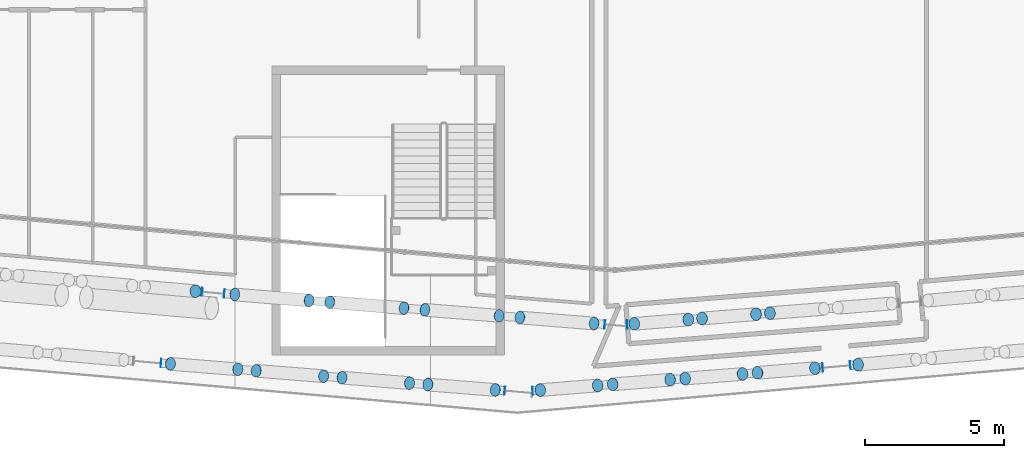
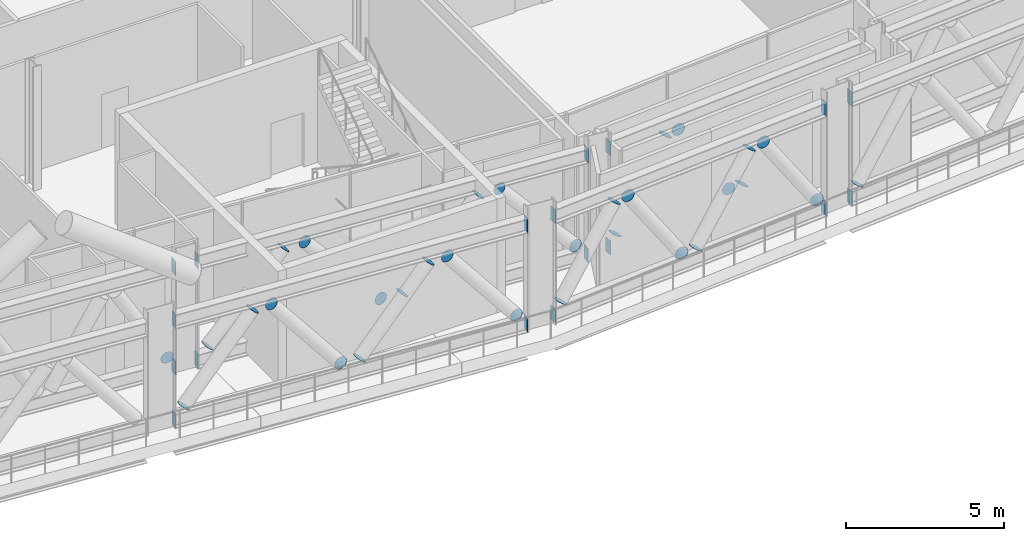
# One storey, part 28 of 39: 49 discrete accessories.
"""IFC4 building model written with IfcOpenShell, lengths in metres."""

from ifc_helpers import new_model, si_unit, direction, frame, origin, origin_2d, place, context, subcontext, project, spatial, rectangle, circle, extrude, material, material_profile, profile_set, type_object, element, save


model = new_model("IFC4")

# Units and contexts
model_context = context("Model", 3, precision=1e-05, world=origin(), true_north=direction((0.0, 1.0)))
body_context = subcontext(model_context, "Body", "Model", "MODEL_VIEW")
ifc_project = project(units=[si_unit("LENGTHUNIT", "METRE"), si_unit("AREAUNIT", "SQUARE_METRE"), si_unit("VOLUMEUNIT", "CUBIC_METRE"), si_unit("PLANEANGLEUNIT", "RADIAN"), si_unit("MASSUNIT", "GRAM", prefix="KILO")], contexts=[model_context])

# Site, building, storey
site_placement = place(None, origin())
site = spatial("IfcSite", under=ifc_project, at=site_placement, CompositionType="ELEMENT")
building_placement = place(site_placement, origin())
building = spatial("IfcBuilding", under=site, at=building_placement, Name="Wharfspan Tower", CompositionType="ELEMENT")
storey_placement = place(building_placement, frame((0.0, 0.0, 91.899902)))
storey = spatial("IfcBuildingStorey", under=building, at=storey_placement, Name="L20", CompositionType="ELEMENT", Elevation=91.899902)

# Discrete accessories
ifc_material_1 = material(Name="Steel S460NH", Category="steel")
ifc_material_profile_1 = material_profile(ifc_material_1, circle(Radius=0.228516, at=origin_2d()))
ifc_profile_set_1 = profile_set([ifc_material_profile_1], Name="Steel S460NH")
discrete_accessory_type_1 = type_object("IfcDiscreteAccessoryType", Name="End plate CHS 457x16", PredefinedType="BRACKET", material=ifc_profile_set_1)
for number, where, z_axis, x_axis, name in (
    (1, (34.453369, 0.340088, 0.66626), (0.514341, -0.024492, -0.857236), (0.047566, 0.998868, 1e-06), "End plate CHS 457x16"),
    (2, (35.865967, 0.221924, 0.694336), (0.656005, -0.048593, 0.753191), (0.073872, 0.997271, 0.0), "End plate CHS 457x16"),
):
    element("IfcDiscreteAccessory", number, at=place(storey_placement, frame(where, z_axis=z_axis, x_axis=x_axis)), inside=storey, type_object=discrete_accessory_type_1, Name=name, PredefinedType="BRACKET", context=body_context, shape_type="SweptSolid", body=[
        extrude(circle(Radius=0.228516, at=origin_2d()), origin(), (0.0, 0.0, 1.0), 0.01001),
    ])
for number, where, z_axis, x_axis, name in (
    (3, (38.524902, 0.00708, 3.698486), (0.668145, -0.049492, 0.742383), (0.073869, 0.997266, 2e-06), "End plate CHS 457x16"),
    (4, (39.273682, -0.053223, 3.705811), (0.668145, -0.049492, -0.742383), (0.073869, 0.997266, -2e-06), "End plate CHS 457x16"),
):
    element("IfcDiscreteAccessory", number, at=place(storey_placement, frame(where, z_axis=z_axis, x_axis=x_axis)), inside=storey, type_object=discrete_accessory_type_1, Name=name, PredefinedType="BRACKET", context=body_context, shape_type="SweptSolid", body=[
        extrude(circle(Radius=0.228516, at=origin_2d()), origin(), (0.0, 0.0, 1.0), 0.009766),
    ])
for number, where, z_axis, x_axis, name in (
    (5, (41.932617, -0.268066, 0.701904), (0.656005, -0.048593, -0.753191), (0.073872, 0.997271, 0.0), "End plate CHS 457x16"),
    (6, (42.681396, -0.328369, 0.694336), (0.655039, -0.072782, 0.752082), (0.11043, 0.993882, 1e-06), "End plate CHS 457x16"),
):
    element("IfcDiscreteAccessory", number, at=place(storey_placement, frame(where, z_axis=z_axis, x_axis=x_axis)), inside=storey, type_object=discrete_accessory_type_1, Name=name, PredefinedType="BRACKET", context=body_context, shape_type="SweptSolid", body=[
        extrude(circle(Radius=0.228516, at=origin_2d()), origin(), (0.0, 0.0, 1.0), 0.01001),
    ])
for number, where, z_axis, x_axis, name in (
    (7, (45.340332, -0.543213, 3.698486), (0.668145, -0.049492, 0.742383), (0.073869, 0.997266, 2e-06), "End plate CHS 457x16"),
    (8, (46.089111, -0.603516, 3.705811), (0.667124, -0.074125, -0.741249), (0.110432, 0.993887, 0.0), "End plate CHS 457x16"),
):
    element("IfcDiscreteAccessory", number, at=place(storey_placement, frame(where, z_axis=z_axis, x_axis=x_axis)), inside=storey, type_object=discrete_accessory_type_1, Name=name, PredefinedType="BRACKET", context=body_context, shape_type="SweptSolid", body=[
        extrude(circle(Radius=0.228516, at=origin_2d()), origin(), (0.0, 0.0, 1.0), 0.009766),
    ])
for number, where, z_axis, x_axis, name in (
    (9, (48.748047, -0.818359, 0.701904), (0.656005, -0.048593, -0.753191), (0.073872, 0.997271, 0.0), "End plate CHS 457x16"),
    (10, (50.188477, -0.829834, 0.664062), (0.54259, 0.049326, 0.838548), (-0.090535, 0.995892, 0.0), "End plate CHS 457x16"),
    (11, (52.124023, -0.677246, 3.727783), (0.532016, 0.024183, 0.846389), (-0.045407, 0.99897, -1e-06), "End plate CHS 457x16"),
    (12, (52.62085, -0.638184, 3.736328), (0.53155, 0.048323, -0.845647), (-0.090535, 0.995897, 1e-06), "End plate CHS 457x16"),
    (13, (54.556396, -0.485596, 0.672363), (0.543086, 0.024686, -0.839314), (-0.045408, 0.998965, 0.0), "End plate CHS 457x16"),
    (14, (55.053223, -0.446533, 0.664062), (0.54259, 0.049326, 0.838548), (-0.090535, 0.995892, 0.0), "End plate CHS 457x16"),
    (15, (33.554443, -2.26709, 0.685303), (0.629852, -0.04845, 0.775203), (0.076696, 0.997051, 0.0), "End plate CHS 457x16"),
    (16, (35.970703, -2.460693, 3.707031), (0.629852, -0.04845, 0.775203), (0.076696, 0.997051, 0.0), "End plate CHS 457x16"),
    (17, (36.632812, -2.513916, 3.714844), (0.629852, -0.04845, -0.775203), (0.076696, 0.997051, 0.0), "End plate CHS 457x16"),
    (18, (39.049072, -2.70752, 0.693115), (0.629852, -0.04845, -0.775203), (0.076696, 0.997051, 0.0), "End plate CHS 457x16"),
    (19, (39.711182, -2.760498, 0.685303), (0.629852, -0.04845, 0.775203), (0.076696, 0.997051, 0.0), "End plate CHS 457x16"),
    (20, (42.127441, -2.954346, 3.707031), (0.629852, -0.04845, 0.775203), (0.076696, 0.997051, 0.0), "End plate CHS 457x16"),
    (21, (42.789551, -3.007324, 3.714844), (0.629852, -0.04845, -0.775203), (0.076696, 0.997051, 0.0), "End plate CHS 457x16"),
    (22, (45.205811, -3.201172, 0.693115), (0.629852, -0.04845, -0.775203), (0.076696, 0.997051, 0.0), "End plate CHS 457x16"),
    (23, (46.818115, -3.206299, 0.669922), (0.560143, 0.024354, 0.828038), (-0.043437, 0.999053, 0.0), "End plate CHS 457x16"),
    (24, (48.876953, -3.04248, 3.721924), (0.559645, 0.048665, 0.827302), (-0.086627, 0.99624, -2e-06), "End plate CHS 457x16"),
    (25, (49.415283, -2.999756, 3.730225), (0.559645, 0.048665, -0.827302), (-0.086627, 0.99624, 2e-06), "End plate CHS 457x16"),
    (26, (51.474121, -2.835938, 0.678223), (0.559645, 0.048665, -0.827302), (-0.086627, 0.99624, 2e-06), "End plate CHS 457x16"),
    (27, (52.012207, -2.792969, 0.669922), (0.559645, 0.048665, 0.827302), (-0.086627, 0.99624, -2e-06), "End plate CHS 457x16"),
    (28, (54.071045, -2.62915, 3.721924), (0.559645, 0.048665, 0.827302), (-0.086627, 0.99624, -2e-06), "End plate CHS 457x16"),
    (29, (54.609375, -2.586426, 3.730225), (0.559645, 0.048665, -0.827302), (-0.086627, 0.99624, 2e-06), "End plate CHS 457x16"),
    (30, (56.668213, -2.422607, 0.678223), (0.559645, 0.048665, -0.827302), (-0.086627, 0.99624, 2e-06), "End plate CHS 457x16"),
    (31, (58.214355, -2.293457, 0.670898), (0.559645, 0.048665, 0.827302), (-0.086627, 0.99624, -2e-06), "End plate CHS 457x16"),
):
    element("IfcDiscreteAccessory", number, at=place(storey_placement, frame(where, z_axis=z_axis, x_axis=x_axis)), inside=storey, type_object=discrete_accessory_type_1, Name=name, PredefinedType="BRACKET", context=body_context, shape_type="SweptSolid", body=[
        extrude(circle(Radius=0.228516, at=origin_2d()), origin(), (0.0, 0.0, 1.0), 0.01001),
    ])
ifc_material_2 = material(Name="Steel S355J2", Category="steel")
ifc_material_profile_2 = material_profile(ifc_material_2, rectangle(XDim=0.300049, YDim=0.550049, at=origin_2d()))
ifc_profile_set_2 = profile_set([ifc_material_profile_2], Name="Steel S355J2")
discrete_accessory_type_2 = type_object("IfcDiscreteAccessoryType", Name="End plate HEB 550", PredefinedType="BRACKET", material=ifc_profile_set_2)
for number, where, z_axis, x_axis, name in (
    (32, (34.683594, 0.320068, 4.125), (0.995275, -0.0971, 0.0), (0.0971, 0.995275, 0.0), "End plate HEB 550"),
    (33, (34.683594, 0.320068, 0.275146), (0.995275, -0.0971, 0.0), (0.0971, 0.995275, 0.0), "End plate HEB 550"),
    (34, (35.484863, 0.252686, 4.125), (0.995275, -0.0971, 0.0), (0.0971, 0.995275, 0.0), "End plate HEB 550"),
    (35, (49.125732, -0.848877, 4.125), (0.997334, -0.072976, 0.0), (0.072976, 0.997334, 0.0), "End plate HEB 550"),
    (36, (35.484863, 0.252686, 0.275146), (0.995275, -0.0971, 0.0), (0.0971, 0.995275, 0.0), "End plate HEB 550"),
    (37, (49.125732, -0.848877, 0.275146), (0.997334, -0.072976, 0.0), (0.072976, 0.997334, 0.0), "End plate HEB 550"),
    (38, (49.932861, -0.849854, 4.125), (0.997334, 0.072976, 0.0), (-0.072976, 0.997334, 0.0), "End plate HEB 550"),
    (39, (49.932861, -0.849854, 0.275146), (0.997334, 0.072976, 0.0), (-0.072976, 0.997334, 0.0), "End plate HEB 550"),
    (40, (33.216553, -2.23999, 4.125), (0.997334, -0.072976, 0.0), (0.072976, 0.997334, 0.0), "End plate HEB 550"),
    (41, (45.540039, -3.227783, 4.125), (0.995275, -0.0971, 0.0), (0.0971, 0.995275, 0.0), "End plate HEB 550"),
    (42, (33.216553, -2.23999, 0.275146), (0.997334, -0.072976, 0.0), (0.072976, 0.997334, 0.0), "End plate HEB 550"),
    (43, (45.540039, -3.227783, 0.275146), (0.995275, -0.0971, 0.0), (0.0971, 0.995275, 0.0), "End plate HEB 550"),
    (44, (46.541992, -3.228271, 4.125), (0.997334, 0.072976, 0.0), (-0.072976, 0.997334, 0.0), "End plate HEB 550"),
    (45, (56.939941, -2.400879, 4.125), (0.997334, 0.072976, 0.0), (-0.072976, 0.997334, 0.0), "End plate HEB 550"),
    (46, (46.541992, -3.228271, 0.275146), (0.997334, 0.072976, 0.0), (-0.072976, 0.997334, 0.0), "End plate HEB 550"),
    (47, (56.939941, -2.400879, 0.275146), (0.997334, 0.072976, 0.0), (-0.072976, 0.997334, 0.0), "End plate HEB 550"),
    (48, (57.93457, -2.317871, 4.125), (0.995275, 0.0971, 0.0), (-0.0971, 0.995275, 0.0), "End plate HEB 550"),
    (49, (57.93457, -2.317871, 0.275146), (0.995275, 0.0971, 0.0), (-0.0971, 0.995275, 0.0), "End plate HEB 550"),
):
    element("IfcDiscreteAccessory", number, at=place(storey_placement, frame(where, z_axis=z_axis, x_axis=x_axis)), inside=storey, type_object=discrete_accessory_type_2, Name=name, PredefinedType="BRACKET", context=body_context, shape_type="SweptSolid", body=[
        extrude(rectangle(XDim=0.300049, YDim=0.550049, at=origin_2d()), origin(), (0.0, 0.0, 1.0), 0.01001),
    ])

save(model, "model.ifc")
